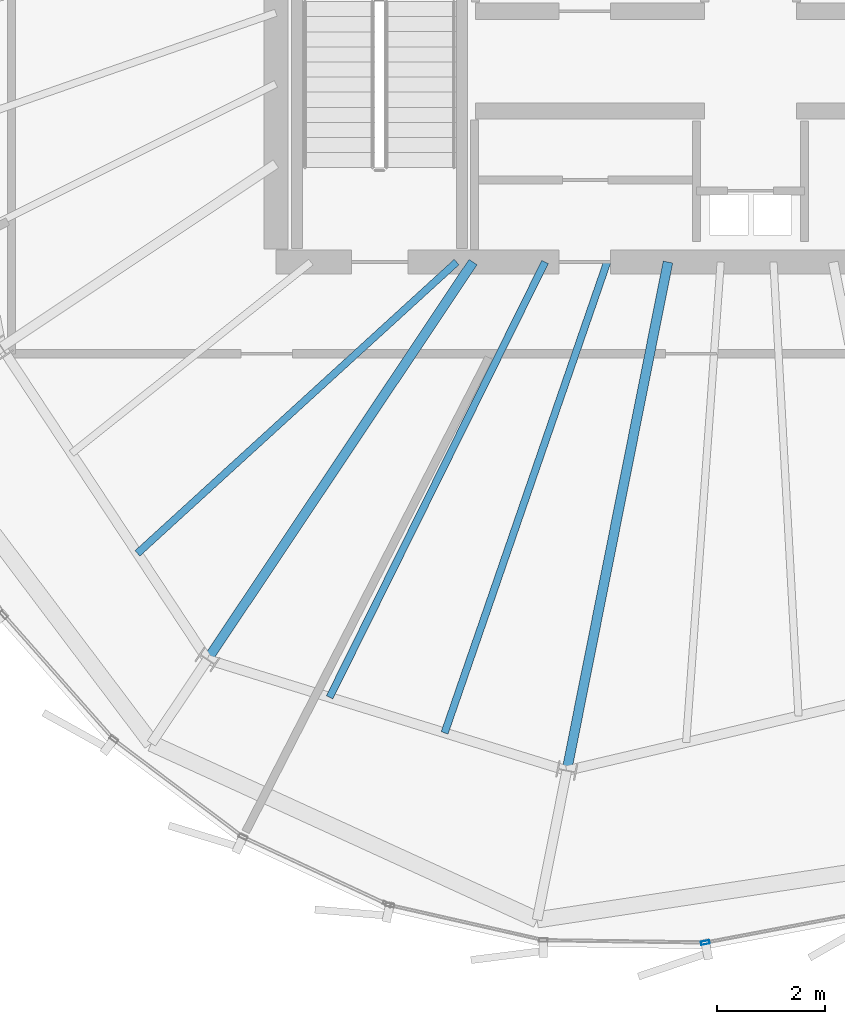
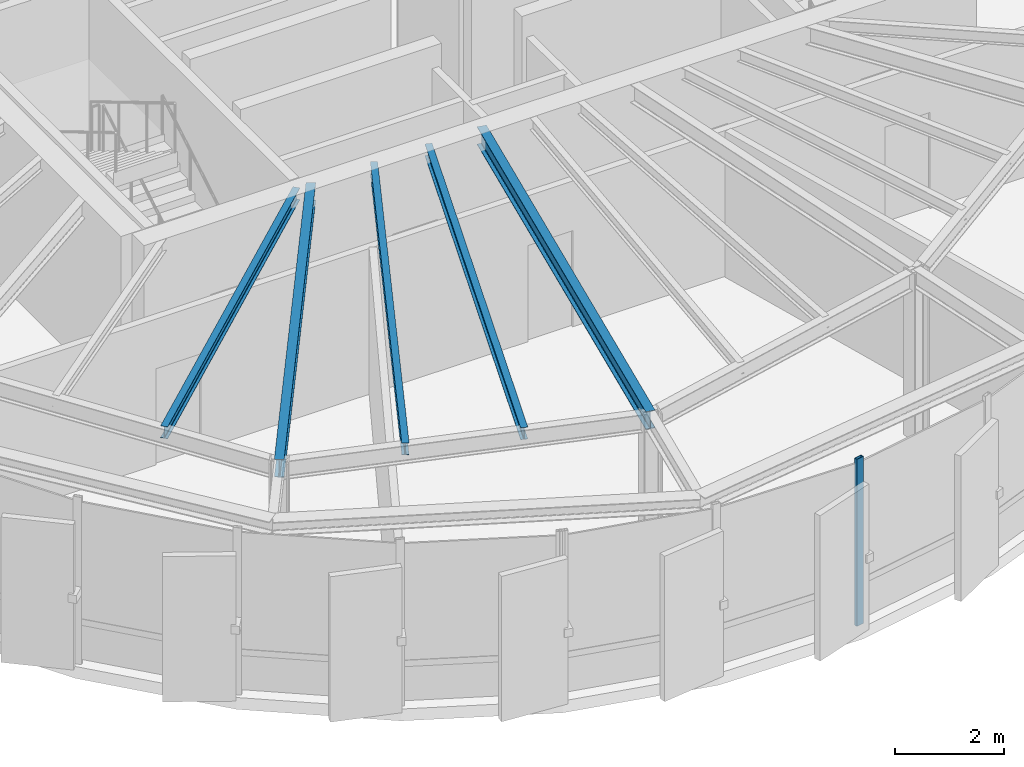
# One storey, part 5 of 26: 5 beams, 1 member, 1 element without a shape of its own.
"""IFC4 building model written with IfcOpenShell, lengths in metres."""

from ifc_helpers import new_model, si_unit, direction, frame, origin, origin_2d, place, context, subcontext, project, spatial, hollow_rectangle, i_section, extrude, source, transform, mapped, material, layer, layer_set, material_profile, profile_set, type_object, element, aggregate, save


model = new_model("IFC4")

# Units and contexts
model_context = context("Model", 3, precision=1e-05, world=origin(), true_north=direction((0.0, 1.0)))
body_context = subcontext(model_context, "Body", "Model", "MODEL_VIEW")
ifc_project = project(units=[si_unit("LENGTHUNIT", "METRE"), si_unit("AREAUNIT", "SQUARE_METRE"), si_unit("VOLUMEUNIT", "CUBIC_METRE"), si_unit("PLANEANGLEUNIT", "RADIAN"), si_unit("MASSUNIT", "GRAM", prefix="KILO"), si_unit("THERMODYNAMICTEMPERATUREUNIT", "KELVIN")], contexts=[model_context])

# Site, building, storey
site_placement = place(None, origin())
site = spatial("IfcSite", under=ifc_project, at=site_placement, CompositionType="ELEMENT")
building_placement = place(site_placement, origin())
building = spatial("IfcBuilding", under=site, at=building_placement, Name="Kethvar Cultural Tower", CompositionType="ELEMENT")
storey_placement = place(building_placement, frame((0.0, 0.0, 320.300048828125)))
storey = spatial("IfcBuildingStorey", under=building, at=storey_placement, Name="L85", CompositionType="ELEMENT", Elevation=320.300048828125)

# Beams
ifc_material_1 = material(Name="Steel S355J2", Category="steel")
ifc_material_profile_1 = material_profile(ifc_material_1, i_section(OverallWidth=0.135009765625, OverallDepth=0.27001953125, WebThickness=0.006591796875, FlangeThickness=0.01025390625, FilletRadius=0.014892578125, at=origin_2d()), Name="Steel S355J2 — IPE270")
ifc_profile_set_1 = profile_set([ifc_material_profile_1], Name="Steel S355J2 — IPE270")
beam_type_1 = type_object("IfcBeamType", Name="BM-J270", PredefinedType="JOIST", material=ifc_profile_set_1)
shared_shape_1 = source(origin(), body_context, "Body", "SweptSolid", [
    extrude(i_section(OverallWidth=0.135009765625, OverallDepth=0.27001953125, WebThickness=0.006591796875, FlangeThickness=0.01025390625, FilletRadius=0.014892578125, at=origin_2d()), origin(), (0.0, 0.0, 1.0), 8.010986328125),
])
beam_1_placement = place(storey_placement, frame((41.35009765625, 20.10009765625, 3.597900390625), z_axis=(-0.738614798856, -0.674127717061, 0.0), x_axis=(0.674127717061, -0.738614798856, 0.0)))
element("IfcBeam", 1, at=beam_1_placement, inside=storey, type_object=beam_type_1, Name="L85 Composite Floor Joist J-10B", PredefinedType="JOIST", context=body_context, shape_type="MappedRepresentation", body=[
    mapped(shared_shape_1, transform((0.0, 0.0, 0.0), scale=1.0)),
])
shared_shape_2 = source(origin(), body_context, "Body", "SweptSolid", [
    extrude(i_section(OverallWidth=0.135009765625, OverallDepth=0.27001953125, WebThickness=0.006591796875, FlangeThickness=0.01025390625, FilletRadius=0.014892578125, at=origin_2d()), origin(), (0.0, 0.0, 1.0), 9.00341796875),
])
beam_2_placement = place(storey_placement, frame((42.989501953125, 20.10009765625, 3.597900390625), z_axis=(-0.443543695319, -0.896252749141, 0.0), x_axis=(0.896252749141, -0.443543695319, 0.0)))
element("IfcBeam", 2, at=beam_2_placement, inside=storey, type_object=beam_type_1, Name="L85 Composite Floor Joist J-11A", PredefinedType="JOIST", context=body_context, shape_type="MappedRepresentation", body=[
    mapped(shared_shape_2, transform((0.0, 0.0, 0.0), scale=1.0)),
])
shared_shape_3 = source(origin(), body_context, "Body", "SweptSolid", [
    extrude(i_section(OverallWidth=0.135009765625, OverallDepth=0.27001953125, WebThickness=0.006591796875, FlangeThickness=0.01025390625, FilletRadius=0.014892578125, at=origin_2d()), origin(), (0.0, 0.0, 1.0), 9.234130859375),
])
beam_3_placement = place(storey_placement, frame((44.1416015625, 20.10009765625, 3.597900390625), z_axis=(-0.326362208058, -0.945244787953, 0.0), x_axis=(0.945244787953, -0.326362208058, 0.0)))
element("IfcBeam", 3, at=beam_3_placement, inside=storey, type_object=beam_type_1, Name="L85 Composite Floor Joist J-11B", PredefinedType="JOIST", context=body_context, shape_type="MappedRepresentation", body=[
    mapped(shared_shape_3, transform((0.0, 0.0, 0.0), scale=1.0)),
])
ifc_material_profile_2 = material_profile(ifc_material_1, i_section(OverallWidth=0.179931640625, OverallDepth=0.39990234375, WebThickness=0.008544921875, FlangeThickness=0.013427734375, FilletRadius=0.02099609375, at=origin_2d()), Name="Steel S355J2 — IPE400")
ifc_profile_set_2 = profile_set([ifc_material_profile_2], Name="Steel S355J2 — IPE400")
beam_type_2 = type_object("IfcBeamType", Name="BM-IPE400", PredefinedType="BEAM", material=ifc_profile_set_2)
shared_shape_4 = source(origin(), body_context, "Body", "SweptSolid", [
    extrude(i_section(OverallWidth=0.179931640625, OverallDepth=0.39990234375, WebThickness=0.008544921875, FlangeThickness=0.013427734375, FilletRadius=0.02099609375, at=origin_2d()), origin(), (0.0, 0.0, 1.0), 8.86279296875),
])
beam_4_placement = place(storey_placement, frame((41.655029296875, 20.10009765625, 3.532958984375), z_axis=(-0.555564443415, -0.831473480764, 0.0), x_axis=(0.831473480764, -0.555564443415, 0.0)))
element("IfcBeam", 4, at=beam_4_placement, inside=storey, type_object=beam_type_2, Name="L85 Primary Radial Beam RB-11", PredefinedType="BEAM", context=body_context, shape_type="MappedRepresentation", body=[
    mapped(shared_shape_4, transform((0.0, 0.0, 0.0), scale=1.0)),
])
shared_shape_5 = source(origin(), body_context, "Body", "SweptSolid", [
    extrude(i_section(OverallWidth=0.179931640625, OverallDepth=0.39990234375, WebThickness=0.008544921875, FlangeThickness=0.013427734375, FilletRadius=0.02099609375, at=origin_2d()), origin(), (0.0, 0.0, 1.0), 9.613525390625),
])
beam_5_placement = place(storey_placement, frame((45.268310546875, 20.10009765625, 3.532958984375), z_axis=(-0.195090428816, -0.980785259159, 0.0), x_axis=(0.980785259159, -0.195090428816, 0.0)))
element("IfcBeam", 5, at=beam_5_placement, inside=storey, type_object=beam_type_2, Name="L85 Primary Radial Beam RB-12", PredefinedType="BEAM", context=body_context, shape_type="MappedRepresentation", body=[
    mapped(shared_shape_5, transform((0.0, 0.0, 0.0), scale=1.0)),
])

# Curtain wall, member
ifc_material_2 = material(Name="Aluminium 6063-T6", Category="aluminium")
ifc_layer = layer(ifc_material_2, 0.179931640625, Name="Aluminium 6063-T6", Category="aluminium")
ifc_layer_set = layer_set([ifc_layer], Name="Aluminium 6063-T6 (180 mm)")
curtain_wall_type = type_object("IfcCurtainWallType", Name="CW-SYS-06-CROWN", PredefinedType="NOTDEFINED", material=ifc_layer_set)
curtain_wall_placement = place(storey_placement, origin())
curtain_wall = element("IfcCurtainWall", 6, at=curtain_wall_placement, inside=storey, type_object=curtain_wall_type, Name="L85 Curtain Wall Run 04", PredefinedType="NOTDEFINED")
ifc_material_profile_3 = material_profile(ifc_material_2, hollow_rectangle(XDim=0.06494140625, YDim=0.159912109375, WallThickness=0.0048828125, at=origin_2d()), Name="Aluminium 6063-T6 — RHS160x65x5")
ifc_profile_set_3 = profile_set([ifc_material_profile_3], Name="Aluminium 6063-T6 — RHS160x65x5")
member_type = type_object("IfcMemberType", Name="CW-SYS-06-CROWN-MUL", PredefinedType="MULLION", material=ifc_profile_set_3)
shared_shape_6 = source(origin(), body_context, "Body", "SweptSolid", [
    extrude(hollow_rectangle(XDim=0.06494140625, YDim=0.159912109375, WallThickness=0.0048828125, at=origin_2d()), origin(), (0.0, 0.0, 1.0), 3.73486328125),
])
member_placement = place(storey_placement, frame((45.9619140625, 7.484130859375, 0.0), z_axis=(0.0, 0.0, 1.0), x_axis=(-0.186215380914, 0.982508947497, 0.0)))
member = element("IfcMember", 7, at=member_placement, type_object=member_type, Name="CW-L85-R04 Mullion 3", PredefinedType="MULLION", context=body_context, shape_type="MappedRepresentation", body=[
    mapped(shared_shape_6, transform((0.0, 0.0, 0.0), scale=1.0)),
])
aggregate(curtain_wall, [member])

save(model, "model.ifc")
